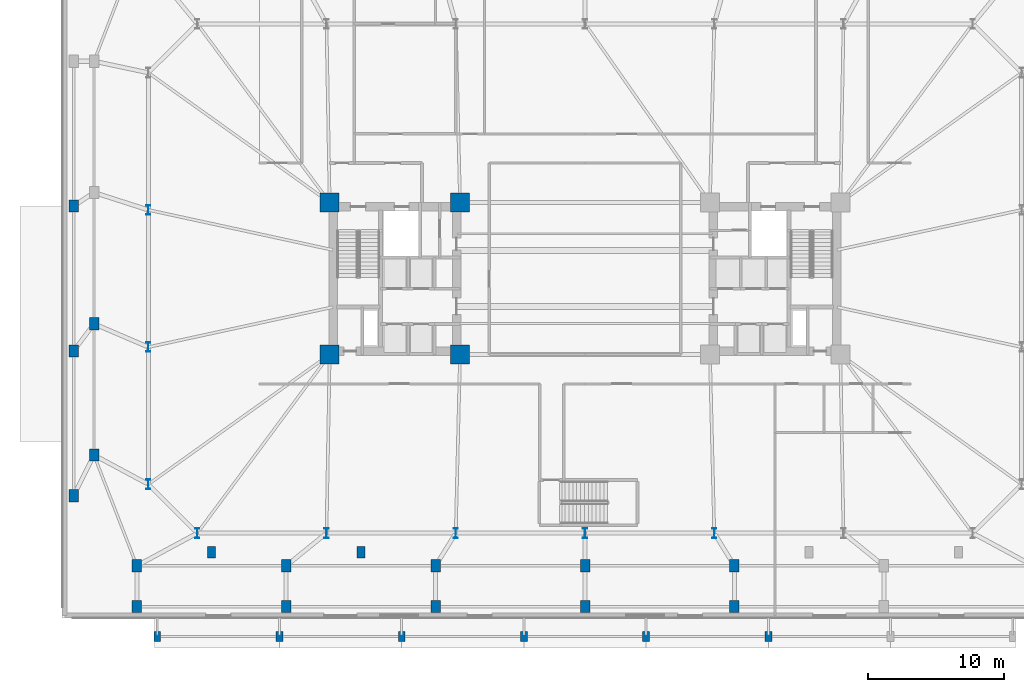
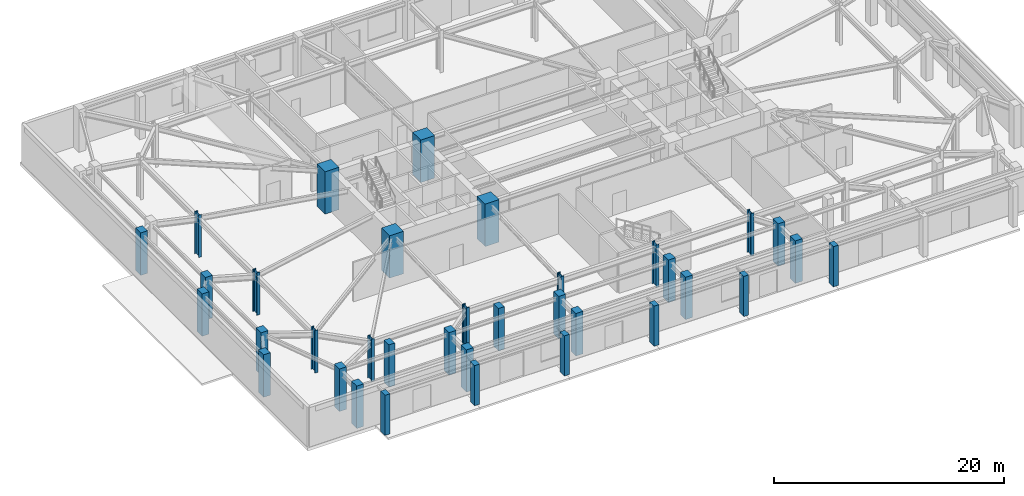
# One storey, part 1 of 18: 35 columns.
"""IFC4 building model written with IfcOpenShell, lengths in metres."""

from ifc_helpers import new_model, si_unit, direction, frame, origin, origin_2d, place, context, subcontext, project, spatial, rectangle, i_section, extrude, material, material_profile, profile_set, type_object, element, save


model = new_model("IFC4")

# Units and contexts
model_context = context("Model", 3, precision=1e-05, world=origin(), true_north=direction((0.0, 1.0)))
body_context = subcontext(model_context, "Body", "Model", "MODEL_VIEW")
ifc_project = project(units=[si_unit("LENGTHUNIT", "METRE"), si_unit("AREAUNIT", "SQUARE_METRE"), si_unit("VOLUMEUNIT", "CUBIC_METRE"), si_unit("PLANEANGLEUNIT", "RADIAN"), si_unit("MASSUNIT", "GRAM", prefix="KILO")], contexts=[model_context])

# Site, building, storey
site_placement = place(None, origin())
site = spatial("IfcSite", under=ifc_project, at=site_placement, CompositionType="ELEMENT")
building_placement = place(site_placement, origin())
building = spatial("IfcBuilding", under=site, at=building_placement, Name="Qobustan Lattice House", CompositionType="ELEMENT")
storey_placement = place(building_placement, origin())
storey = spatial("IfcBuildingStorey", under=building, at=storey_placement, Name="L00", CompositionType="ELEMENT", Elevation=0.0)

# Columns
ifc_material_1 = material(Name="Concrete C50/60", Category="concrete")
ifc_material_profile_1 = material_profile(ifc_material_1, rectangle(XDim=0.5, YDim=0.75, at=origin_2d()), Name="RC500x750")
ifc_profile_set_1 = profile_set([ifc_material_profile_1], Name="Concrete C50/60")
column_type_1 = type_object("IfcColumnType", Name="COL-PIER-500x750", PredefinedType="USERDEFINED", material=ifc_profile_set_1)
for number, where, z_axis, x_axis, name in (
    (1, (-31.5, -26.35009765625, 0.0), (0.0, 0.0, 1.0), (1.0, 0.0, 0.0), "L00 entrance canopy pier PR-01"),
    (2, (-22.5, -26.35009765625, 0.0), (0.0, 0.0, 1.0), (1.0, 0.0, 0.0), "L00 entrance canopy pier PR-02"),
    (3, (-13.5, -26.35009765625, 0.0), (0.0, 0.0, 1.0), (1.0, 0.0, 0.0), "L00 entrance canopy pier PR-03"),
    (4, (-4.5, -26.35009765625, 0.0), (0.0, 0.0, 1.0), (1.0, 0.0, 0.0), "L00 entrance canopy pier PR-04"),
    (5, (4.5, -26.35009765625, 0.0), (0.0, 0.0, 1.0), (1.0, 0.0, 0.0), "L00 entrance canopy pier PR-05"),
    (6, (13.5, -26.35009765625, 0.0), (0.0, 0.0, 1.0), (1.0, 0.0, 0.0), "L00 entrance canopy pier PR-06"),
):
    element("IfcColumn", number, at=place(storey_placement, frame(where, z_axis=z_axis, x_axis=x_axis)), inside=storey, type_object=column_type_1, Name=name, ObjectType="PIER", PredefinedType="USERDEFINED", context=body_context, shape_type="SweptSolid", body=[
        extrude(rectangle(XDim=0.5, YDim=0.75, at=origin_2d()), origin(), (0.0, 0.0, 1.0), 4.260009765625),
    ])
ifc_material_2 = material(Name="Concrete C50/60", Category="concrete")
ifc_material_profile_2 = material_profile(ifc_material_2, rectangle(XDim=0.60009765625, YDim=0.85009765625, at=origin_2d()), Name="RC600x850")
ifc_profile_set_2 = profile_set([ifc_material_profile_2], Name="Concrete C50/60")
column_type_2 = type_object("IfcColumnType", Name="COL-PIL-600x850", PredefinedType="PILASTER", material=ifc_profile_set_2)
for number, where, z_axis, x_axis, name in (
    (7, (-27.5, -20.14990234375, 0.0), (0.0, 0.0, 1.0), (1.0, 0.0, 0.0), "L00 colonnade pilaster S1"),
    (8, (-16.5, -20.14990234375, 0.0), (0.0, 0.0, 1.0), (1.0, 0.0, 0.0), "L00 colonnade pilaster S2"),
):
    element("IfcColumn", number, at=place(storey_placement, frame(where, z_axis=z_axis, x_axis=x_axis)), inside=storey, type_object=column_type_2, Name=name, PredefinedType="PILASTER", context=body_context, shape_type="SweptSolid", body=[
        extrude(rectangle(XDim=0.60009765625, YDim=0.85009765625, at=origin_2d()), origin(), (0.0, 0.0, 1.0), 4.5),
    ])
ifc_material_3 = material(Name="Concrete C60/75", Category="concrete")
ifc_material_profile_3 = material_profile(ifc_material_3, rectangle(XDim=1.39990234375, YDim=1.39990234375, at=origin_2d()), Name="RC1400x1400")
ifc_profile_set_3 = profile_set([ifc_material_profile_3], Name="Concrete C60/75")
column_type_3 = type_object("IfcColumnType", Name="COL-RC-1400", PredefinedType="COLUMN", material=ifc_profile_set_3)
for number, where, z_axis, x_axis, name in (
    (9, (-18.800048828125, -5.60009765625, 0.0), (0.0, 0.0, 1.0), (1.0, 0.0, 0.0), "L00 core mega-column CW-SW"),
    (10, (-18.800048828125, 5.60009765625, 0.0), (0.0, 0.0, 1.0), (1.0, 0.0, 0.0), "L00 core mega-column CW-NW"),
    (11, (-9.199951171875, -5.60009765625, 0.0), (0.0, 0.0, 1.0), (1.0, 0.0, 0.0), "L00 core mega-column CW-SE"),
    (12, (-9.199951171875, 5.60009765625, 0.0), (0.0, 0.0, 1.0), (1.0, 0.0, 0.0), "L00 core mega-column CW-NE"),
):
    element("IfcColumn", number, at=place(storey_placement, frame(where, z_axis=z_axis, x_axis=x_axis)), inside=storey, type_object=column_type_3, Name=name, PredefinedType="COLUMN", context=body_context, shape_type="SweptSolid", body=[
        extrude(rectangle(XDim=1.39990234375, YDim=1.39990234375, at=origin_2d()), origin(), (0.0, 0.0, 1.0), 4.5),
    ])
ifc_material_4 = material(Name="Concrete C50/60", Category="concrete")
ifc_material_profile_4 = material_profile(ifc_material_4, rectangle(XDim=0.699951171875, YDim=0.89990234375, at=origin_2d()), Name="RC700x900")
ifc_profile_set_4 = profile_set([ifc_material_profile_4], Name="Concrete C50/60")
column_type_4 = type_object("IfcColumnType", Name="COL-RC-700x900", PredefinedType="COLUMN", material=ifc_profile_set_4)
for number, where, z_axis, x_axis, name in (
    (13, (-33.0, -21.14990234375, 0.0), (0.0, 0.0, 1.0), (1.0, 0.0, 0.0), "L00 podium column PS1"),
    (14, (-22.0, -21.14990234375, 0.0), (0.0, 0.0, 1.0), (1.0, 0.0, 0.0), "L00 podium column PS2"),
    (15, (-11.0, -21.14990234375, 0.0), (0.0, 0.0, 1.0), (1.0, 0.0, 0.0), "L00 podium column PS3"),
    (16, (0.0, -21.14990234375, 0.0), (0.0, 0.0, 1.0), (1.0, 0.0, 0.0), "L00 podium column PS4"),
    (17, (11.0, -21.14990234375, 0.0), (0.0, 0.0, 1.0), (1.0, 0.0, 0.0), "L00 podium column PS5"),
    (18, (-36.14990234375, -13.0, 0.0), (0.0, 0.0, 1.0), (1.0, 0.0, 0.0), "L00 podium column PW1"),
    (19, (-36.14990234375, -3.333251953125, 0.0), (0.0, 0.0, 1.0), (1.0, 0.0, 0.0), "L00 podium column PW2"),
    (20, (-33.0, -24.14990234375, 0.0), (0.0, 0.0, 1.0), (1.0, 0.0, 0.0), "L00 lower podium perimeter column PSL1"),
    (21, (-22.0, -24.14990234375, 0.0), (0.0, 0.0, 1.0), (1.0, 0.0, 0.0), "L00 lower podium perimeter column PSL2"),
    (22, (-11.0, -24.14990234375, 0.0), (0.0, 0.0, 1.0), (1.0, 0.0, 0.0), "L00 lower podium perimeter column PSL3"),
    (23, (0.0, -24.14990234375, 0.0), (0.0, 0.0, 1.0), (1.0, 0.0, 0.0), "L00 lower podium perimeter column PSL4"),
    (24, (11.0, -24.14990234375, 0.0), (0.0, 0.0, 1.0), (1.0, 0.0, 0.0), "L00 lower podium perimeter column PSL5"),
    (25, (-37.64990234375, -16.0, 0.0), (0.0, 0.0, 1.0), (1.0, 0.0, 0.0), "L00 lower podium perimeter column PWL1"),
    (26, (-37.64990234375, -5.333251953125, 0.0), (0.0, 0.0, 1.0), (1.0, 0.0, 0.0), "L00 lower podium perimeter column PWL2"),
    (27, (-37.64990234375, 5.33349609375, 0.0), (0.0, 0.0, 1.0), (1.0, 0.0, 0.0), "L00 lower podium perimeter column PWL3"),
):
    element("IfcColumn", number, at=place(storey_placement, frame(where, z_axis=z_axis, x_axis=x_axis)), inside=storey, type_object=column_type_4, Name=name, PredefinedType="COLUMN", context=body_context, shape_type="SweptSolid", body=[
        extrude(rectangle(XDim=0.699951171875, YDim=0.89990234375, at=origin_2d()), origin(), (0.0, 0.0, 1.0), 4.5),
    ])
ifc_material_5 = material(Name="Steel S460", Category="steel")
ifc_material_profile_5 = material_profile(ifc_material_5, i_section(OverallWidth=0.303955078125, OverallDepth=0.716064453125, WebThickness=0.02099609375, FlangeThickness=0.0400390625, FilletRadius=0.027099609375, at=origin_2d()), Name="HEM700")
ifc_profile_set_5 = profile_set([ifc_material_profile_5], Name="Steel S460")
column_type_5 = type_object("IfcColumnType", Name="COL-ST-HEM700", PredefinedType="COLUMN", material=ifc_profile_set_5)
for number, where, z_axis, x_axis, name in (
    (28, (-28.550048828125, -18.75, 0.0), (0.0, 0.0, 1.0), (1.0, 0.0, 0.0), "L00 tower base column S1"),
    (29, (-19.033203125, -18.75, 0.0), (0.0, 0.0, 1.0), (1.0, 0.0, 0.0), "L00 tower base column S2"),
    (30, (-9.5166015625, -18.75, 0.0), (0.0, 0.0, 1.0), (1.0, 0.0, 0.0), "L00 tower base column S3"),
    (31, (0.0, -18.75, 0.0), (0.0, 0.0, 1.0), (1.0, 0.0, 0.0), "L00 tower base column S4"),
    (32, (9.5166015625, -18.75, 0.0), (0.0, 0.0, 1.0), (1.0, 0.0, 0.0), "L00 tower base column S5"),
    (33, (-32.14990234375, 5.050048828125, 0.0), (0.0, 0.0, 1.0), (1.0, 0.0, 0.0), "L00 tower base column W2"),
    (34, (-32.14990234375, -5.050048828125, 0.0), (0.0, 0.0, 1.0), (1.0, 0.0, 0.0), "L00 tower base column W3"),
    (35, (-32.14990234375, -15.14990234375, 0.0), (0.0, 0.0, 1.0), (1.0, 0.0, 0.0), "L00 tower base column W4"),
):
    element("IfcColumn", number, at=place(storey_placement, frame(where, z_axis=z_axis, x_axis=x_axis)), inside=storey, type_object=column_type_5, Name=name, PredefinedType="COLUMN", context=body_context, shape_type="SweptSolid", body=[
        extrude(i_section(OverallWidth=0.303955078125, OverallDepth=0.716064453125, WebThickness=0.02099609375, FlangeThickness=0.0400390625, FilletRadius=0.027099609375, at=origin_2d()), origin(), (0.0, 0.0, 1.0), 4.5),
    ])

save(model, "model.ifc")
